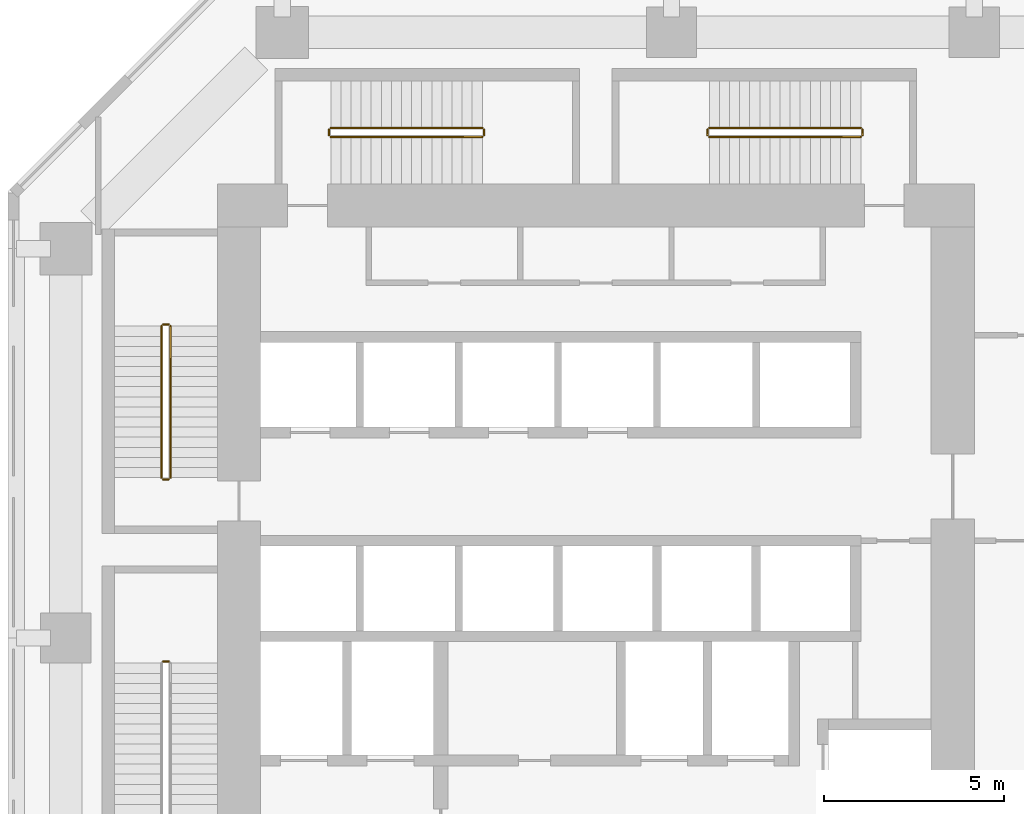
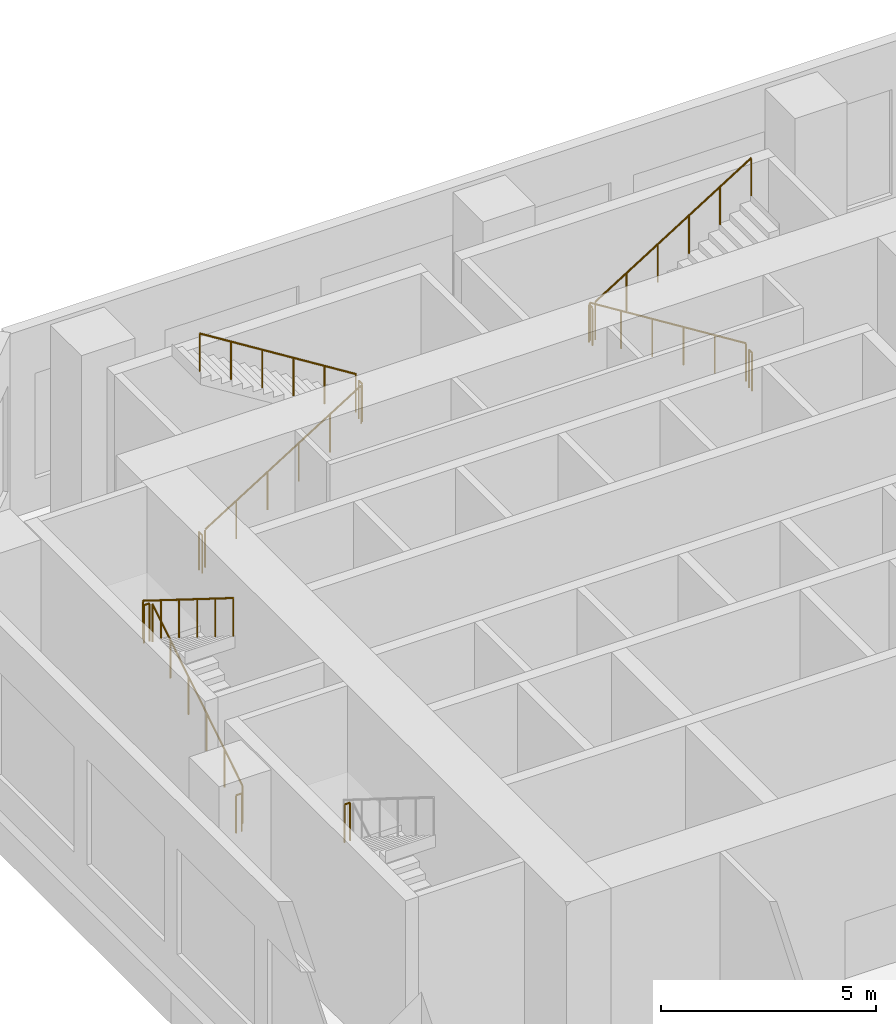
# One storey, part 17 of 19: 13 railings.
"""IFC4 building model written with IfcOpenShell, lengths in metres."""

from ifc_helpers import new_model, si_unit, direction, frame, origin, origin_2d, place, context, subcontext, project, spatial, circle, extrude, material, type_object, element, save


model = new_model("IFC4")

# Units and contexts
model_context = context("Model", 3, precision=1e-05, world=origin(), true_north=direction((0.0, 1.0)))
body_context = subcontext(model_context, "Body", "Model", "MODEL_VIEW")
ifc_project = project(units=[si_unit("LENGTHUNIT", "METRE"), si_unit("AREAUNIT", "SQUARE_METRE"), si_unit("VOLUMEUNIT", "CUBIC_METRE"), si_unit("PLANEANGLEUNIT", "RADIAN"), si_unit("MASSUNIT", "GRAM", prefix="KILO")], contexts=[model_context])

# Site, building, storey
site_placement = place(None, origin())
site = spatial("IfcSite", under=ifc_project, at=site_placement, CompositionType="ELEMENT")
building_placement = place(site_placement, origin())
building = spatial("IfcBuilding", under=site, at=building_placement, Name="Kawkab Arch Medical Tower", CompositionType="ELEMENT")
storey_placement = place(building_placement, frame((0.0, 0.0, 12.60009765625)))
storey = spatial("IfcBuildingStorey", under=building, at=storey_placement, Name="L03", CompositionType="ELEMENT", Elevation=12.60009765625)

# Railings
ifc_material = material(Name="Stainless steel", Category="steel")
railing_type = type_object("IfcRailingType", Name="Stair guard 1100", PredefinedType="GUARDRAIL", material=ifc_material)
railing_1_placement = place(storey_placement, frame((2.89990234375, -12.35009765625, 0.1748046875)))
element("IfcRailing", 1, at=railing_1_placement, inside=storey, type_object=railing_type, Name="L03 ST1 stair guard 1", PredefinedType="GUARDRAIL", context=body_context, shape_type="SweptSolid", body=[
    extrude(circle(Radius=0.02392578125, at=origin_2d()), frame((0.0, 0.0, 1.076171875), z_axis=(0.0, 0.848009380541, 0.529981217134), x_axis=(-1.0, 0.0, 0.0)), (0.0, 0.0, 1.0), 4.953125),
    extrude(circle(Radius=0.02099609375, at=origin_2d()), origin(), (0.0, 0.0, 1.0), 1.052001953125),
    extrude(circle(Radius=0.02099609375, at=origin_2d()), frame((0.0, 0.840087890625, 0.52490234375)), (0.0, 0.0, 1.0), 1.052001953125),
    extrude(circle(Radius=0.02099609375, at=origin_2d()), frame((0.0, 1.68017578125, 1.050048828125)), (0.0, 0.0, 1.0), 1.052001953125),
    extrude(circle(Radius=0.02099609375, at=origin_2d()), frame((0.0, 2.52001953125, 1.574951171875)), (0.0, 0.0, 1.0), 1.052001953125),
    extrude(circle(Radius=0.02099609375, at=origin_2d()), frame((0.0, 3.360107421875, 2.10009765625)), (0.0, 0.0, 1.0), 1.052001953125),
    extrude(circle(Radius=0.02099609375, at=origin_2d()), frame((0.0, 4.2001953125, 2.625)), (0.0, 0.0, 1.0), 1.052001953125),
])
railing_2_placement = place(storey_placement, frame((2.85009765625, -8.10009765625, 2.7998046875)))
element("IfcRailing", 2, at=railing_2_placement, inside=storey, type_object=railing_type, Name="L03 ST1 stair guard 2", PredefinedType="GUARDRAIL", context=body_context, shape_type="SweptSolid", body=[
    extrude(circle(Radius=0.02392578125, at=origin_2d()), frame((0.0, 0.0, 1.076171875), z_axis=(-1.0, 0.0, 0.0), x_axis=(0.0, -1.0, 0.0)), (0.0, 0.0, 1.0), 0.150146484375),
    extrude(circle(Radius=0.02099609375, at=origin_2d()), origin(), (0.0, 0.0, 1.0), 1.052001953125),
    extrude(circle(Radius=0.02099609375, at=origin_2d()), frame((-0.150146484375, 0.0, 0.0)), (0.0, 0.0, 1.0), 1.052001953125),
])
railing_3_placement = place(storey_placement, frame((2.64990234375, -8.14990234375, 2.974853515625)))
element("IfcRailing", 3, at=railing_3_placement, inside=storey, type_object=railing_type, Name="L03 ST1 stair guard 3", PredefinedType="GUARDRAIL", context=body_context, shape_type="SweptSolid", body=[
    extrude(circle(Radius=0.02392578125, at=origin_2d()), frame((0.0, 0.0, 1.076171875), z_axis=(0.0, -0.848009380541, 0.529981217134), x_axis=(1.0, 0.0, 0.0)), (0.0, 0.0, 1.0), 4.953125),
    extrude(circle(Radius=0.02099609375, at=origin_2d()), origin(), (0.0, 0.0, 1.0), 1.052001953125),
    extrude(circle(Radius=0.02099609375, at=origin_2d()), frame((0.0, -0.840087890625, 0.52490234375)), (0.0, 0.0, 1.0), 1.052001953125),
    extrude(circle(Radius=0.02099609375, at=origin_2d()), frame((0.0, -1.68017578125, 1.050048828125)), (0.0, 0.0, 1.0), 1.052001953125),
    extrude(circle(Radius=0.02099609375, at=origin_2d()), frame((0.0, -2.52001953125, 1.574951171875)), (0.0, 0.0, 1.0), 1.052001953125),
    extrude(circle(Radius=0.02099609375, at=origin_2d()), frame((0.0, -3.360107421875, 2.10009765625)), (0.0, 0.0, 1.0), 1.052001953125),
    extrude(circle(Radius=0.02099609375, at=origin_2d()), frame((0.0, -4.2001953125, 2.625)), (0.0, 0.0, 1.0), 1.052001953125),
])
for number, where, name in (
    (4, (2.85009765625, -12.39990234375, 0.0), "L03 ST1 stair guard 4"),
    (5, (2.85009765625, -17.449951171875, 2.7998046875), "L03 ST2 stair guard 2"),
):
    element("IfcRailing", number, at=place(storey_placement, frame(where)), inside=storey, type_object=railing_type, Name=name, PredefinedType="GUARDRAIL", context=body_context, shape_type="SweptSolid", body=[
        extrude(circle(Radius=0.02392578125, at=origin_2d()), frame((0.0, 0.0, 1.076171875), z_axis=(-1.0, 0.0, 0.0), x_axis=(0.0, -1.0, 0.0)), (0.0, 0.0, 1.0), 0.150146484375),
        extrude(circle(Radius=0.02099609375, at=origin_2d()), origin(), (0.0, 0.0, 1.0), 1.052001953125),
        extrude(circle(Radius=0.02099609375, at=origin_2d()), frame((-0.150146484375, 0.0, 0.0)), (0.0, 0.0, 1.0), 1.052001953125),
    ])
railing_4_placement = place(storey_placement, frame((7.35009765625, -2.89990234375, 0.1748046875)))
element("IfcRailing", 6, at=railing_4_placement, inside=storey, type_object=railing_type, Name="L03 ST3 stair guard 1", PredefinedType="GUARDRAIL", context=body_context, shape_type="SweptSolid", body=[
    extrude(circle(Radius=0.02392578125, at=origin_2d()), frame((0.0, 0.0, 1.076171875), z_axis=(0.847995534698, 0.0, 0.530003370869), x_axis=(0.0, 1.0, 0.0)), (0.0, 0.0, 1.0), 4.952880859375),
    extrude(circle(Radius=0.02099609375, at=origin_2d()), origin(), (0.0, 0.0, 1.0), 1.052001953125),
    extrude(circle(Radius=0.02099609375, at=origin_2d()), frame((0.840087890625, 0.0, 0.52490234375)), (0.0, 0.0, 1.0), 1.052001953125),
    extrude(circle(Radius=0.02099609375, at=origin_2d()), frame((1.679931640625, 0.0, 1.050048828125)), (0.0, 0.0, 1.0), 1.052001953125),
    extrude(circle(Radius=0.02099609375, at=origin_2d()), frame((2.52001953125, 0.0, 1.574951171875)), (0.0, 0.0, 1.0), 1.052001953125),
    extrude(circle(Radius=0.02099609375, at=origin_2d()), frame((3.35986328125, 0.0, 2.10009765625)), (0.0, 0.0, 1.0), 1.052001953125),
    extrude(circle(Radius=0.02099609375, at=origin_2d()), frame((4.199951171875, 0.0, 2.625)), (0.0, 0.0, 1.0), 1.052001953125),
])
railing_5_placement = place(storey_placement, frame((11.60009765625, -2.85009765625, 2.7998046875)))
element("IfcRailing", 7, at=railing_5_placement, inside=storey, type_object=railing_type, Name="L03 ST3 stair guard 2", PredefinedType="GUARDRAIL", context=body_context, shape_type="SweptSolid", body=[
    extrude(circle(Radius=0.02392578125, at=origin_2d()), frame((0.0, 0.0, 1.076171875), z_axis=(0.0, 1.0, 0.0), x_axis=(-1.0, 0.0, 0.0)), (0.0, 0.0, 1.0), 0.150146484375),
    extrude(circle(Radius=0.02099609375, at=origin_2d()), origin(), (0.0, 0.0, 1.0), 1.052001953125),
    extrude(circle(Radius=0.02099609375, at=origin_2d()), frame((0.0, 0.150146484375, 0.0)), (0.0, 0.0, 1.0), 1.052001953125),
])
railing_6_placement = place(storey_placement, frame((11.550048828125, -2.64990234375, 2.974853515625)))
element("IfcRailing", 8, at=railing_6_placement, inside=storey, type_object=railing_type, Name="L03 ST3 stair guard 3", PredefinedType="GUARDRAIL", context=body_context, shape_type="SweptSolid", body=[
    extrude(circle(Radius=0.02392578125, at=origin_2d()), frame((0.0, 0.0, 1.076171875), z_axis=(-0.847995534698, 0.0, 0.530003370869), x_axis=(0.0, -1.0, 0.0)), (0.0, 0.0, 1.0), 4.952880859375),
    extrude(circle(Radius=0.02099609375, at=origin_2d()), origin(), (0.0, 0.0, 1.0), 1.052001953125),
    extrude(circle(Radius=0.02099609375, at=origin_2d()), frame((-0.840087890625, 0.0, 0.52490234375)), (0.0, 0.0, 1.0), 1.052001953125),
    extrude(circle(Radius=0.02099609375, at=origin_2d()), frame((-1.679931640625, 0.0, 1.050048828125)), (0.0, 0.0, 1.0), 1.052001953125),
    extrude(circle(Radius=0.02099609375, at=origin_2d()), frame((-2.52001953125, 0.0, 1.574951171875)), (0.0, 0.0, 1.0), 1.052001953125),
    extrude(circle(Radius=0.02099609375, at=origin_2d()), frame((-3.35986328125, 0.0, 2.10009765625)), (0.0, 0.0, 1.0), 1.052001953125),
    extrude(circle(Radius=0.02099609375, at=origin_2d()), frame((-4.199951171875, 0.0, 2.625)), (0.0, 0.0, 1.0), 1.052001953125),
])
railing_7_placement = place(storey_placement, frame((7.300048828125, -2.85009765625, 0.0)))
element("IfcRailing", 9, at=railing_7_placement, inside=storey, type_object=railing_type, Name="L03 ST3 stair guard 4", PredefinedType="GUARDRAIL", context=body_context, shape_type="SweptSolid", body=[
    extrude(circle(Radius=0.02392578125, at=origin_2d()), frame((0.0, 0.0, 1.076171875), z_axis=(0.0, 1.0, 0.0), x_axis=(-1.0, 0.0, 0.0)), (0.0, 0.0, 1.0), 0.150146484375),
    extrude(circle(Radius=0.02099609375, at=origin_2d()), origin(), (0.0, 0.0, 1.0), 1.052001953125),
    extrude(circle(Radius=0.02099609375, at=origin_2d()), frame((0.0, 0.150146484375, 0.0)), (0.0, 0.0, 1.0), 1.052001953125),
])
railing_8_placement = place(storey_placement, frame((22.050048828125, -2.64990234375, 0.1748046875)))
element("IfcRailing", 10, at=railing_8_placement, inside=storey, type_object=railing_type, Name="L03 ST4 stair guard 1", PredefinedType="GUARDRAIL", context=body_context, shape_type="SweptSolid", body=[
    extrude(circle(Radius=0.02392578125, at=origin_2d()), frame((0.0, 0.0, 1.076171875), z_axis=(-0.847995534698, 0.0, 0.530003370869), x_axis=(0.0, -1.0, 0.0)), (0.0, 0.0, 1.0), 4.952880859375),
    extrude(circle(Radius=0.02099609375, at=origin_2d()), origin(), (0.0, 0.0, 1.0), 1.052001953125),
    extrude(circle(Radius=0.02099609375, at=origin_2d()), frame((-0.840087890625, 0.0, 0.52490234375)), (0.0, 0.0, 1.0), 1.052001953125),
    extrude(circle(Radius=0.02099609375, at=origin_2d()), frame((-1.679931640625, 0.0, 1.050048828125)), (0.0, 0.0, 1.0), 1.052001953125),
    extrude(circle(Radius=0.02099609375, at=origin_2d()), frame((-2.52001953125, 0.0, 1.574951171875)), (0.0, 0.0, 1.0), 1.052001953125),
    extrude(circle(Radius=0.02099609375, at=origin_2d()), frame((-3.35986328125, 0.0, 2.10009765625)), (0.0, 0.0, 1.0), 1.052001953125),
    extrude(circle(Radius=0.02099609375, at=origin_2d()), frame((-4.199951171875, 0.0, 2.625)), (0.0, 0.0, 1.0), 1.052001953125),
])
railing_9_placement = place(storey_placement, frame((17.800048828125, -2.699951171875, 2.7998046875)))
element("IfcRailing", 11, at=railing_9_placement, inside=storey, type_object=railing_type, Name="L03 ST4 stair guard 2", PredefinedType="GUARDRAIL", context=body_context, shape_type="SweptSolid", body=[
    extrude(circle(Radius=0.02392578125, at=origin_2d()), frame((0.0, 0.0, 1.076171875), z_axis=(0.0, -1.0, 0.0), x_axis=(1.0, 0.0, 0.0)), (0.0, 0.0, 1.0), 0.150146484375),
    extrude(circle(Radius=0.02099609375, at=origin_2d()), origin(), (0.0, 0.0, 1.0), 1.052001953125),
    extrude(circle(Radius=0.02099609375, at=origin_2d()), frame((0.0, -0.150146484375, 0.0)), (0.0, 0.0, 1.0), 1.052001953125),
])
railing_10_placement = place(storey_placement, frame((17.85009765625, -2.89990234375, 2.974853515625)))
element("IfcRailing", 12, at=railing_10_placement, inside=storey, type_object=railing_type, Name="L03 ST4 stair guard 3", PredefinedType="GUARDRAIL", context=body_context, shape_type="SweptSolid", body=[
    extrude(circle(Radius=0.02392578125, at=origin_2d()), frame((0.0, 0.0, 1.076171875), z_axis=(0.847995534698, 0.0, 0.530003370869), x_axis=(0.0, 1.0, 0.0)), (0.0, 0.0, 1.0), 4.952880859375),
    extrude(circle(Radius=0.02099609375, at=origin_2d()), origin(), (0.0, 0.0, 1.0), 1.052001953125),
    extrude(circle(Radius=0.02099609375, at=origin_2d()), frame((0.840087890625, 0.0, 0.52490234375)), (0.0, 0.0, 1.0), 1.052001953125),
    extrude(circle(Radius=0.02099609375, at=origin_2d()), frame((1.679931640625, 0.0, 1.050048828125)), (0.0, 0.0, 1.0), 1.052001953125),
    extrude(circle(Radius=0.02099609375, at=origin_2d()), frame((2.52001953125, 0.0, 1.574951171875)), (0.0, 0.0, 1.0), 1.052001953125),
    extrude(circle(Radius=0.02099609375, at=origin_2d()), frame((3.35986328125, 0.0, 2.10009765625)), (0.0, 0.0, 1.0), 1.052001953125),
    extrude(circle(Radius=0.02099609375, at=origin_2d()), frame((4.199951171875, 0.0, 2.625)), (0.0, 0.0, 1.0), 1.052001953125),
])
railing_11_placement = place(storey_placement, frame((22.10009765625, -2.699951171875, 0.0)))
element("IfcRailing", 13, at=railing_11_placement, inside=storey, type_object=railing_type, Name="L03 ST4 stair guard 4", PredefinedType="GUARDRAIL", context=body_context, shape_type="SweptSolid", body=[
    extrude(circle(Radius=0.02392578125, at=origin_2d()), frame((0.0, 0.0, 1.076171875), z_axis=(0.0, -1.0, 0.0), x_axis=(1.0, 0.0, 0.0)), (0.0, 0.0, 1.0), 0.150146484375),
    extrude(circle(Radius=0.02099609375, at=origin_2d()), origin(), (0.0, 0.0, 1.0), 1.052001953125),
    extrude(circle(Radius=0.02099609375, at=origin_2d()), frame((0.0, -0.150146484375, 0.0)), (0.0, 0.0, 1.0), 1.052001953125),
])

save(model, "model.ifc")
